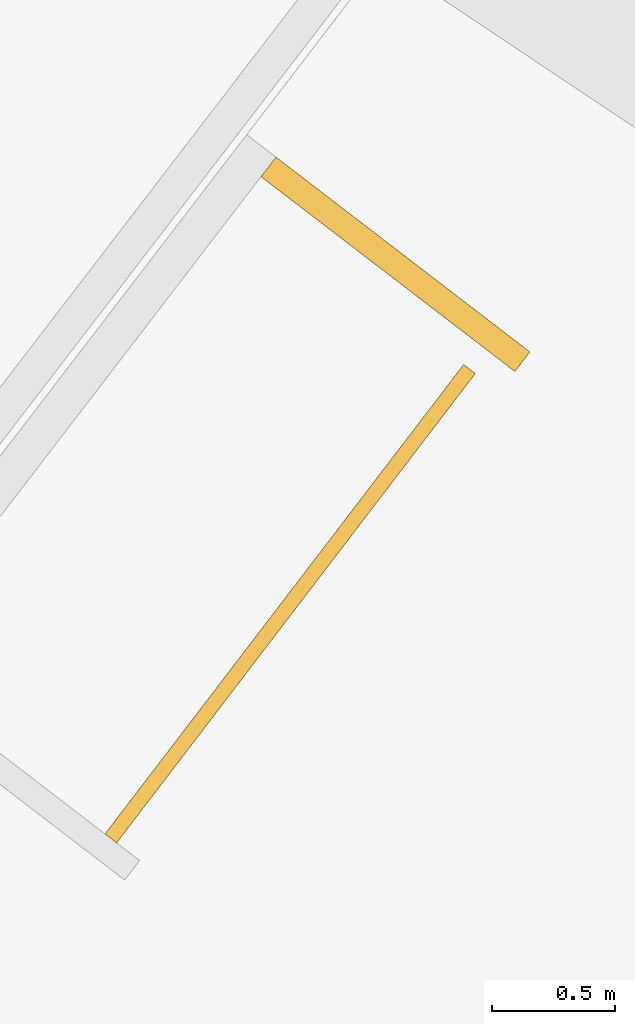
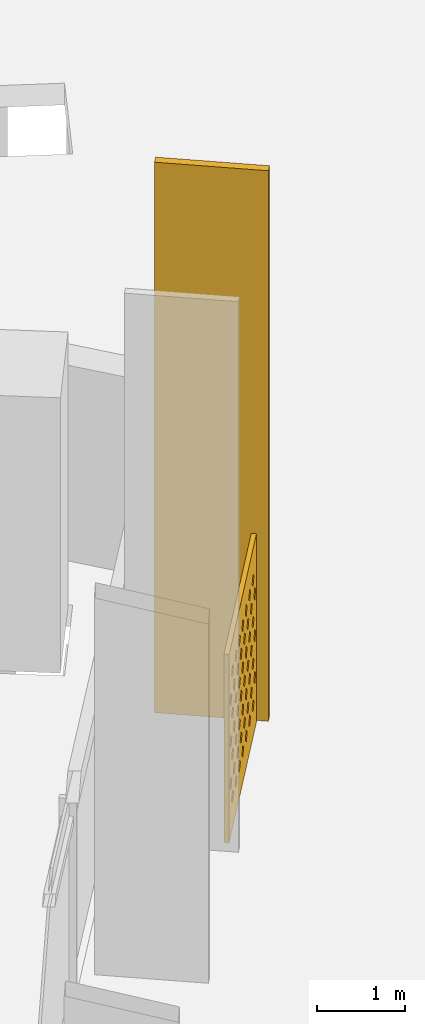
# One storey, part 34 of 35: 2 shading devices.
"""IFC4 building model written with IfcOpenShell, lengths in metres."""

from ifc_helpers import new_model, si_unit, direction, frame, origin, origin_2d, place, context, subcontext, project, spatial, polyline, rectangle, outline, extrude, material, material_profile, profile_set, type_object, element, save


model = new_model("IFC4")

# Units and contexts
model_context = context("Model", 3, precision=1e-05, world=origin(), true_north=direction((0.0, 1.0)))
body_context = subcontext(model_context, "Body", "Model", "MODEL_VIEW")
ifc_project = project(units=[si_unit("LENGTHUNIT", "METRE"), si_unit("AREAUNIT", "SQUARE_METRE"), si_unit("VOLUMEUNIT", "CUBIC_METRE"), si_unit("PLANEANGLEUNIT", "RADIAN"), si_unit("MASSUNIT", "GRAM", prefix="KILO")], contexts=[model_context])

# Site, building, storey
site_placement = place(None, origin())
site = spatial("IfcSite", under=ifc_project, at=site_placement, CompositionType="ELEMENT")
building_placement = place(site_placement, origin())
building = spatial("IfcBuilding", under=site, at=building_placement, Name="Qamariyya Broadcast Tower", CompositionType="ELEMENT")
storey_placement = place(building_placement, frame((0.0, 0.0, 40.5)))
storey = spatial("IfcBuildingStorey", under=building, at=storey_placement, Name="L06", CompositionType="ELEMENT", Elevation=40.5)

# Shading devices
ifc_material_1 = material(Name="Perforated glazed terracotta", Category="masonry")
ifc_material_profile_1 = material_profile(ifc_material_1, outline(polyline([(-1.199951171875, -1.300048828125), (1.199951171875, -1.300048828125), (1.199951171875, 1.300048828125), (-1.199951171875, 1.300048828125), (-1.199951171875, -1.300048828125)]), holes=[polyline([(-0.81494140625, -0.86669921875), (-0.89990234375, -0.78173828125), (-0.985107421875, -0.86669921875), (-0.89990234375, -0.95166015625), (-0.81494140625, -0.86669921875)]), polyline([(-0.514892578125, -0.86669921875), (-0.60009765625, -0.78173828125), (-0.68505859375, -0.86669921875), (-0.60009765625, -0.95166015625), (-0.514892578125, -0.86669921875)]), polyline([(-0.215087890625, -0.86669921875), (-0.300048828125, -0.78173828125), (-0.385009765625, -0.86669921875), (-0.300048828125, -0.95166015625), (-0.215087890625, -0.86669921875)]), polyline([(0.0849609375, -0.86669921875), (0.0, -0.78173828125), (-0.0849609375, -0.86669921875), (0.0, -0.95166015625), (0.0849609375, -0.86669921875)]), polyline([(0.385009765625, -0.86669921875), (0.300048828125, -0.78173828125), (0.215087890625, -0.86669921875), (0.300048828125, -0.95166015625), (0.385009765625, -0.86669921875)]), polyline([(0.68505859375, -0.86669921875), (0.60009765625, -0.78173828125), (0.514892578125, -0.86669921875), (0.60009765625, -0.95166015625), (0.68505859375, -0.86669921875)]), polyline([(0.985107421875, -0.86669921875), (0.89990234375, -0.78173828125), (0.81494140625, -0.86669921875), (0.89990234375, -0.95166015625), (0.985107421875, -0.86669921875)]), polyline([(-0.965087890625, -0.577880859375), (-1.050048828125, -0.49267578125), (-1.135009765625, -0.577880859375), (-1.050048828125, -0.662841796875), (-0.965087890625, -0.577880859375)]), polyline([(-0.6650390625, -0.577880859375), (-0.75, -0.49267578125), (-0.8349609375, -0.577880859375), (-0.75, -0.662841796875), (-0.6650390625, -0.577880859375)]), polyline([(-0.364990234375, -0.577880859375), (-0.449951171875, -0.49267578125), (-0.534912109375, -0.577880859375), (-0.449951171875, -0.662841796875), (-0.364990234375, -0.577880859375)]), polyline([(-0.06494140625, -0.577880859375), (-0.14990234375, -0.49267578125), (-0.235107421875, -0.577880859375), (-0.14990234375, -0.662841796875), (-0.06494140625, -0.577880859375)]), polyline([(0.235107421875, -0.577880859375), (0.14990234375, -0.49267578125), (0.06494140625, -0.577880859375), (0.14990234375, -0.662841796875), (0.235107421875, -0.577880859375)]), polyline([(0.534912109375, -0.577880859375), (0.449951171875, -0.49267578125), (0.364990234375, -0.577880859375), (0.449951171875, -0.662841796875), (0.534912109375, -0.577880859375)]), polyline([(0.8349609375, -0.577880859375), (0.75, -0.49267578125), (0.6650390625, -0.577880859375), (0.75, -0.662841796875), (0.8349609375, -0.577880859375)]), polyline([(1.135009765625, -0.577880859375), (1.050048828125, -0.49267578125), (0.965087890625, -0.577880859375), (1.050048828125, -0.662841796875), (1.135009765625, -0.577880859375)]), polyline([(-0.81494140625, -0.288818359375), (-0.89990234375, -0.203857421875), (-0.985107421875, -0.288818359375), (-0.89990234375, -0.373779296875), (-0.81494140625, -0.288818359375)]), polyline([(-0.514892578125, -0.288818359375), (-0.60009765625, -0.203857421875), (-0.68505859375, -0.288818359375), (-0.60009765625, -0.373779296875), (-0.514892578125, -0.288818359375)]), polyline([(-0.215087890625, -0.288818359375), (-0.300048828125, -0.203857421875), (-0.385009765625, -0.288818359375), (-0.300048828125, -0.373779296875), (-0.215087890625, -0.288818359375)]), polyline([(0.0849609375, -0.288818359375), (0.0, -0.203857421875), (-0.0849609375, -0.288818359375), (0.0, -0.373779296875), (0.0849609375, -0.288818359375)]), polyline([(0.385009765625, -0.288818359375), (0.300048828125, -0.203857421875), (0.215087890625, -0.288818359375), (0.300048828125, -0.373779296875), (0.385009765625, -0.288818359375)]), polyline([(0.68505859375, -0.288818359375), (0.60009765625, -0.203857421875), (0.514892578125, -0.288818359375), (0.60009765625, -0.373779296875), (0.68505859375, -0.288818359375)]), polyline([(0.985107421875, -0.288818359375), (0.89990234375, -0.203857421875), (0.81494140625, -0.288818359375), (0.89990234375, -0.373779296875), (0.985107421875, -0.288818359375)]), polyline([(-0.965087890625, 0.0), (-1.050048828125, 0.0849609375), (-1.135009765625, 0.0), (-1.050048828125, -0.0849609375), (-0.965087890625, 0.0)]), polyline([(-0.6650390625, 0.0), (-0.75, 0.0849609375), (-0.8349609375, 0.0), (-0.75, -0.0849609375), (-0.6650390625, 0.0)]), polyline([(-0.364990234375, 0.0), (-0.449951171875, 0.0849609375), (-0.534912109375, 0.0), (-0.449951171875, -0.0849609375), (-0.364990234375, 0.0)]), polyline([(-0.06494140625, 0.0), (-0.14990234375, 0.0849609375), (-0.235107421875, 0.0), (-0.14990234375, -0.0849609375), (-0.06494140625, 0.0)]), polyline([(0.235107421875, 0.0), (0.14990234375, 0.0849609375), (0.06494140625, 0.0), (0.14990234375, -0.0849609375), (0.235107421875, 0.0)]), polyline([(0.534912109375, 0.0), (0.449951171875, 0.0849609375), (0.364990234375, 0.0), (0.449951171875, -0.0849609375), (0.534912109375, 0.0)]), polyline([(0.8349609375, 0.0), (0.75, 0.0849609375), (0.6650390625, 0.0), (0.75, -0.0849609375), (0.8349609375, 0.0)]), polyline([(1.135009765625, 0.0), (1.050048828125, 0.0849609375), (0.965087890625, 0.0), (1.050048828125, -0.0849609375), (1.135009765625, 0.0)]), polyline([(-0.81494140625, 0.288818359375), (-0.89990234375, 0.373779296875), (-0.985107421875, 0.288818359375), (-0.89990234375, 0.203857421875), (-0.81494140625, 0.288818359375)]), polyline([(-0.514892578125, 0.288818359375), (-0.60009765625, 0.373779296875), (-0.68505859375, 0.288818359375), (-0.60009765625, 0.203857421875), (-0.514892578125, 0.288818359375)]), polyline([(-0.215087890625, 0.288818359375), (-0.300048828125, 0.373779296875), (-0.385009765625, 0.288818359375), (-0.300048828125, 0.203857421875), (-0.215087890625, 0.288818359375)]), polyline([(0.0849609375, 0.288818359375), (0.0, 0.373779296875), (-0.0849609375, 0.288818359375), (0.0, 0.203857421875), (0.0849609375, 0.288818359375)]), polyline([(0.385009765625, 0.288818359375), (0.300048828125, 0.373779296875), (0.215087890625, 0.288818359375), (0.300048828125, 0.203857421875), (0.385009765625, 0.288818359375)]), polyline([(0.68505859375, 0.288818359375), (0.60009765625, 0.373779296875), (0.514892578125, 0.288818359375), (0.60009765625, 0.203857421875), (0.68505859375, 0.288818359375)]), polyline([(0.985107421875, 0.288818359375), (0.89990234375, 0.373779296875), (0.81494140625, 0.288818359375), (0.89990234375, 0.203857421875), (0.985107421875, 0.288818359375)]), polyline([(-0.965087890625, 0.577880859375), (-1.050048828125, 0.662841796875), (-1.135009765625, 0.577880859375), (-1.050048828125, 0.49267578125), (-0.965087890625, 0.577880859375)]), polyline([(-0.6650390625, 0.577880859375), (-0.75, 0.662841796875), (-0.8349609375, 0.577880859375), (-0.75, 0.49267578125), (-0.6650390625, 0.577880859375)]), polyline([(-0.364990234375, 0.577880859375), (-0.449951171875, 0.662841796875), (-0.534912109375, 0.577880859375), (-0.449951171875, 0.49267578125), (-0.364990234375, 0.577880859375)]), polyline([(-0.06494140625, 0.577880859375), (-0.14990234375, 0.662841796875), (-0.235107421875, 0.577880859375), (-0.14990234375, 0.49267578125), (-0.06494140625, 0.577880859375)]), polyline([(0.235107421875, 0.577880859375), (0.14990234375, 0.662841796875), (0.06494140625, 0.577880859375), (0.14990234375, 0.49267578125), (0.235107421875, 0.577880859375)]), polyline([(0.534912109375, 0.577880859375), (0.449951171875, 0.662841796875), (0.364990234375, 0.577880859375), (0.449951171875, 0.49267578125), (0.534912109375, 0.577880859375)]), polyline([(0.8349609375, 0.577880859375), (0.75, 0.662841796875), (0.6650390625, 0.577880859375), (0.75, 0.49267578125), (0.8349609375, 0.577880859375)]), polyline([(1.135009765625, 0.577880859375), (1.050048828125, 0.662841796875), (0.965087890625, 0.577880859375), (1.050048828125, 0.49267578125), (1.135009765625, 0.577880859375)]), polyline([(-0.81494140625, 0.86669921875), (-0.89990234375, 0.95166015625), (-0.985107421875, 0.86669921875), (-0.89990234375, 0.78173828125), (-0.81494140625, 0.86669921875)]), polyline([(-0.514892578125, 0.86669921875), (-0.60009765625, 0.95166015625), (-0.68505859375, 0.86669921875), (-0.60009765625, 0.78173828125), (-0.514892578125, 0.86669921875)]), polyline([(-0.215087890625, 0.86669921875), (-0.300048828125, 0.95166015625), (-0.385009765625, 0.86669921875), (-0.300048828125, 0.78173828125), (-0.215087890625, 0.86669921875)]), polyline([(0.0849609375, 0.86669921875), (0.0, 0.95166015625), (-0.0849609375, 0.86669921875), (0.0, 0.78173828125), (0.0849609375, 0.86669921875)]), polyline([(0.385009765625, 0.86669921875), (0.300048828125, 0.95166015625), (0.215087890625, 0.86669921875), (0.300048828125, 0.78173828125), (0.385009765625, 0.86669921875)]), polyline([(0.68505859375, 0.86669921875), (0.60009765625, 0.95166015625), (0.514892578125, 0.86669921875), (0.60009765625, 0.78173828125), (0.68505859375, 0.86669921875)]), polyline([(0.985107421875, 0.86669921875), (0.89990234375, 0.95166015625), (0.81494140625, 0.86669921875), (0.89990234375, 0.78173828125), (0.985107421875, 0.86669921875)])]))
ifc_profile_set_1 = profile_set([ifc_material_profile_1], Name="Perforated glazed terracotta")
shading_device_type_1 = type_object("IfcShadingDeviceType", Name="Perforated terracotta screen 2400 x 2600", PredefinedType="USERDEFINED", material=ifc_profile_set_1)
shading_device_1_placement = place(storey_placement, frame((65.61669921875, -47.13232421875, 1.35009765625), z_axis=(0.794589096806, -0.607147566278, 0.0), x_axis=(0.607147566278, 0.794589096806, 0.0)))
element("IfcShadingDevice", 1, at=shading_device_1_placement, inside=storey, type_object=shading_device_type_1, Name="e-scr-L06-15-2", ObjectType="SCREEN", PredefinedType="USERDEFINED", context=body_context, shape_type="SweptSolid", body=[
    extrude(outline(polyline([(-1.199951171875, -1.300048828125), (1.199951171875, -1.300048828125), (1.199951171875, 1.300048828125), (-1.199951171875, 1.300048828125), (-1.199951171875, -1.300048828125)]), holes=[polyline([(-0.81494140625, -0.86669921875), (-0.89990234375, -0.78173828125), (-0.985107421875, -0.86669921875), (-0.89990234375, -0.95166015625), (-0.81494140625, -0.86669921875)]), polyline([(-0.514892578125, -0.86669921875), (-0.60009765625, -0.78173828125), (-0.68505859375, -0.86669921875), (-0.60009765625, -0.95166015625), (-0.514892578125, -0.86669921875)]), polyline([(-0.215087890625, -0.86669921875), (-0.300048828125, -0.78173828125), (-0.385009765625, -0.86669921875), (-0.300048828125, -0.95166015625), (-0.215087890625, -0.86669921875)]), polyline([(0.0849609375, -0.86669921875), (0.0, -0.78173828125), (-0.0849609375, -0.86669921875), (0.0, -0.95166015625), (0.0849609375, -0.86669921875)]), polyline([(0.385009765625, -0.86669921875), (0.300048828125, -0.78173828125), (0.215087890625, -0.86669921875), (0.300048828125, -0.95166015625), (0.385009765625, -0.86669921875)]), polyline([(0.68505859375, -0.86669921875), (0.60009765625, -0.78173828125), (0.514892578125, -0.86669921875), (0.60009765625, -0.95166015625), (0.68505859375, -0.86669921875)]), polyline([(0.985107421875, -0.86669921875), (0.89990234375, -0.78173828125), (0.81494140625, -0.86669921875), (0.89990234375, -0.95166015625), (0.985107421875, -0.86669921875)]), polyline([(-0.965087890625, -0.577880859375), (-1.050048828125, -0.49267578125), (-1.135009765625, -0.577880859375), (-1.050048828125, -0.662841796875), (-0.965087890625, -0.577880859375)]), polyline([(-0.6650390625, -0.577880859375), (-0.75, -0.49267578125), (-0.8349609375, -0.577880859375), (-0.75, -0.662841796875), (-0.6650390625, -0.577880859375)]), polyline([(-0.364990234375, -0.577880859375), (-0.449951171875, -0.49267578125), (-0.534912109375, -0.577880859375), (-0.449951171875, -0.662841796875), (-0.364990234375, -0.577880859375)]), polyline([(-0.06494140625, -0.577880859375), (-0.14990234375, -0.49267578125), (-0.235107421875, -0.577880859375), (-0.14990234375, -0.662841796875), (-0.06494140625, -0.577880859375)]), polyline([(0.235107421875, -0.577880859375), (0.14990234375, -0.49267578125), (0.06494140625, -0.577880859375), (0.14990234375, -0.662841796875), (0.235107421875, -0.577880859375)]), polyline([(0.534912109375, -0.577880859375), (0.449951171875, -0.49267578125), (0.364990234375, -0.577880859375), (0.449951171875, -0.662841796875), (0.534912109375, -0.577880859375)]), polyline([(0.8349609375, -0.577880859375), (0.75, -0.49267578125), (0.6650390625, -0.577880859375), (0.75, -0.662841796875), (0.8349609375, -0.577880859375)]), polyline([(1.135009765625, -0.577880859375), (1.050048828125, -0.49267578125), (0.965087890625, -0.577880859375), (1.050048828125, -0.662841796875), (1.135009765625, -0.577880859375)]), polyline([(-0.81494140625, -0.288818359375), (-0.89990234375, -0.203857421875), (-0.985107421875, -0.288818359375), (-0.89990234375, -0.373779296875), (-0.81494140625, -0.288818359375)]), polyline([(-0.514892578125, -0.288818359375), (-0.60009765625, -0.203857421875), (-0.68505859375, -0.288818359375), (-0.60009765625, -0.373779296875), (-0.514892578125, -0.288818359375)]), polyline([(-0.215087890625, -0.288818359375), (-0.300048828125, -0.203857421875), (-0.385009765625, -0.288818359375), (-0.300048828125, -0.373779296875), (-0.215087890625, -0.288818359375)]), polyline([(0.0849609375, -0.288818359375), (0.0, -0.203857421875), (-0.0849609375, -0.288818359375), (0.0, -0.373779296875), (0.0849609375, -0.288818359375)]), polyline([(0.385009765625, -0.288818359375), (0.300048828125, -0.203857421875), (0.215087890625, -0.288818359375), (0.300048828125, -0.373779296875), (0.385009765625, -0.288818359375)]), polyline([(0.68505859375, -0.288818359375), (0.60009765625, -0.203857421875), (0.514892578125, -0.288818359375), (0.60009765625, -0.373779296875), (0.68505859375, -0.288818359375)]), polyline([(0.985107421875, -0.288818359375), (0.89990234375, -0.203857421875), (0.81494140625, -0.288818359375), (0.89990234375, -0.373779296875), (0.985107421875, -0.288818359375)]), polyline([(-0.965087890625, 0.0), (-1.050048828125, 0.0849609375), (-1.135009765625, 0.0), (-1.050048828125, -0.0849609375), (-0.965087890625, 0.0)]), polyline([(-0.6650390625, 0.0), (-0.75, 0.0849609375), (-0.8349609375, 0.0), (-0.75, -0.0849609375), (-0.6650390625, 0.0)]), polyline([(-0.364990234375, 0.0), (-0.449951171875, 0.0849609375), (-0.534912109375, 0.0), (-0.449951171875, -0.0849609375), (-0.364990234375, 0.0)]), polyline([(-0.06494140625, 0.0), (-0.14990234375, 0.0849609375), (-0.235107421875, 0.0), (-0.14990234375, -0.0849609375), (-0.06494140625, 0.0)]), polyline([(0.235107421875, 0.0), (0.14990234375, 0.0849609375), (0.06494140625, 0.0), (0.14990234375, -0.0849609375), (0.235107421875, 0.0)]), polyline([(0.534912109375, 0.0), (0.449951171875, 0.0849609375), (0.364990234375, 0.0), (0.449951171875, -0.0849609375), (0.534912109375, 0.0)]), polyline([(0.8349609375, 0.0), (0.75, 0.0849609375), (0.6650390625, 0.0), (0.75, -0.0849609375), (0.8349609375, 0.0)]), polyline([(1.135009765625, 0.0), (1.050048828125, 0.0849609375), (0.965087890625, 0.0), (1.050048828125, -0.0849609375), (1.135009765625, 0.0)]), polyline([(-0.81494140625, 0.288818359375), (-0.89990234375, 0.373779296875), (-0.985107421875, 0.288818359375), (-0.89990234375, 0.203857421875), (-0.81494140625, 0.288818359375)]), polyline([(-0.514892578125, 0.288818359375), (-0.60009765625, 0.373779296875), (-0.68505859375, 0.288818359375), (-0.60009765625, 0.203857421875), (-0.514892578125, 0.288818359375)]), polyline([(-0.215087890625, 0.288818359375), (-0.300048828125, 0.373779296875), (-0.385009765625, 0.288818359375), (-0.300048828125, 0.203857421875), (-0.215087890625, 0.288818359375)]), polyline([(0.0849609375, 0.288818359375), (0.0, 0.373779296875), (-0.0849609375, 0.288818359375), (0.0, 0.203857421875), (0.0849609375, 0.288818359375)]), polyline([(0.385009765625, 0.288818359375), (0.300048828125, 0.373779296875), (0.215087890625, 0.288818359375), (0.300048828125, 0.203857421875), (0.385009765625, 0.288818359375)]), polyline([(0.68505859375, 0.288818359375), (0.60009765625, 0.373779296875), (0.514892578125, 0.288818359375), (0.60009765625, 0.203857421875), (0.68505859375, 0.288818359375)]), polyline([(0.985107421875, 0.288818359375), (0.89990234375, 0.373779296875), (0.81494140625, 0.288818359375), (0.89990234375, 0.203857421875), (0.985107421875, 0.288818359375)]), polyline([(-0.965087890625, 0.577880859375), (-1.050048828125, 0.662841796875), (-1.135009765625, 0.577880859375), (-1.050048828125, 0.49267578125), (-0.965087890625, 0.577880859375)]), polyline([(-0.6650390625, 0.577880859375), (-0.75, 0.662841796875), (-0.8349609375, 0.577880859375), (-0.75, 0.49267578125), (-0.6650390625, 0.577880859375)]), polyline([(-0.364990234375, 0.577880859375), (-0.449951171875, 0.662841796875), (-0.534912109375, 0.577880859375), (-0.449951171875, 0.49267578125), (-0.364990234375, 0.577880859375)]), polyline([(-0.06494140625, 0.577880859375), (-0.14990234375, 0.662841796875), (-0.235107421875, 0.577880859375), (-0.14990234375, 0.49267578125), (-0.06494140625, 0.577880859375)]), polyline([(0.235107421875, 0.577880859375), (0.14990234375, 0.662841796875), (0.06494140625, 0.577880859375), (0.14990234375, 0.49267578125), (0.235107421875, 0.577880859375)]), polyline([(0.534912109375, 0.577880859375), (0.449951171875, 0.662841796875), (0.364990234375, 0.577880859375), (0.449951171875, 0.49267578125), (0.534912109375, 0.577880859375)]), polyline([(0.8349609375, 0.577880859375), (0.75, 0.662841796875), (0.6650390625, 0.577880859375), (0.75, 0.49267578125), (0.8349609375, 0.577880859375)]), polyline([(1.135009765625, 0.577880859375), (1.050048828125, 0.662841796875), (0.965087890625, 0.577880859375), (1.050048828125, 0.49267578125), (1.135009765625, 0.577880859375)]), polyline([(-0.81494140625, 0.86669921875), (-0.89990234375, 0.95166015625), (-0.985107421875, 0.86669921875), (-0.89990234375, 0.78173828125), (-0.81494140625, 0.86669921875)]), polyline([(-0.514892578125, 0.86669921875), (-0.60009765625, 0.95166015625), (-0.68505859375, 0.86669921875), (-0.60009765625, 0.78173828125), (-0.514892578125, 0.86669921875)]), polyline([(-0.215087890625, 0.86669921875), (-0.300048828125, 0.95166015625), (-0.385009765625, 0.86669921875), (-0.300048828125, 0.78173828125), (-0.215087890625, 0.86669921875)]), polyline([(0.0849609375, 0.86669921875), (0.0, 0.95166015625), (-0.0849609375, 0.86669921875), (0.0, 0.78173828125), (0.0849609375, 0.86669921875)]), polyline([(0.385009765625, 0.86669921875), (0.300048828125, 0.95166015625), (0.215087890625, 0.86669921875), (0.300048828125, 0.78173828125), (0.385009765625, 0.86669921875)]), polyline([(0.68505859375, 0.86669921875), (0.60009765625, 0.95166015625), (0.514892578125, 0.86669921875), (0.60009765625, 0.78173828125), (0.68505859375, 0.86669921875)]), polyline([(0.985107421875, 0.86669921875), (0.89990234375, 0.95166015625), (0.81494140625, 0.86669921875), (0.89990234375, 0.78173828125), (0.985107421875, 0.86669921875)])]), origin(), (0.0, 0.0, 1.0), 0.059814453125),
])
ifc_material_2 = material(Name="Glazed terracotta", Category="masonry")
ifc_material_profile_2 = material_profile(ifc_material_2, rectangle(XDim=1.300048828125, YDim=0.10009765625, at=origin_2d()))
ifc_profile_set_2 = profile_set([ifc_material_profile_2], Name="Glazed terracotta")
shading_device_type_2 = type_object("IfcShadingDeviceType", Name="Terracotta fin 100 x 1300", PredefinedType="USERDEFINED", material=ifc_profile_set_2)
shading_device_2_placement = place(storey_placement, frame((66.068359375, -45.771484375, 0.0), z_axis=(0.0, 0.0, 1.0), x_axis=(0.793353340291, -0.608761429009, 0.0)))
element("IfcShadingDevice", 2, at=shading_device_2_placement, inside=storey, type_object=shading_device_type_2, Name="e-fin-L06-15-3", ObjectType="FIN", PredefinedType="USERDEFINED", context=body_context, shape_type="SweptSolid", body=[
    extrude(rectangle(XDim=1.300048828125, YDim=0.10009765625, at=origin_2d()), origin(), (0.0, 0.0, 1.0), 7.60009765625),
])

save(model, "model.ifc")
